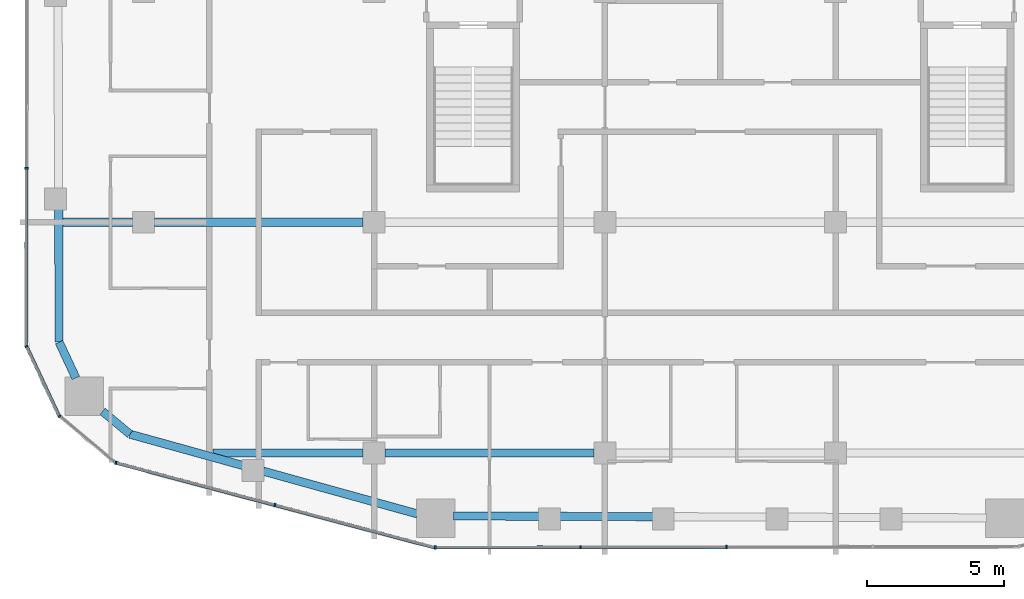
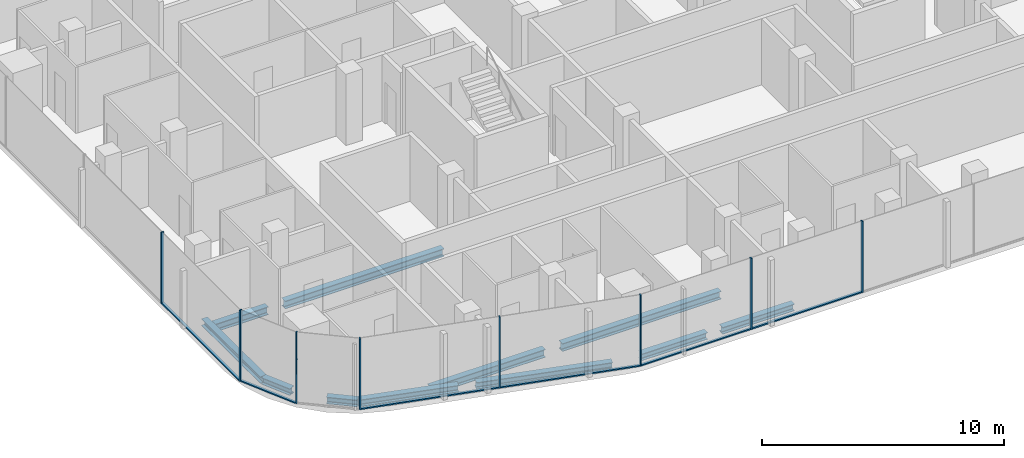
# One storey, part 2 of 21: 14 members, 11 beams, 5 elements without a shape of their own.
"""IFC4 building model written with IfcOpenShell, lengths in metres."""

from ifc_helpers import new_model, si_unit, direction, frame, origin, origin_2d, place, context, subcontext, project, spatial, rectangle, i_section, extrude, material, layer, layer_set, material_profile, profile_set, type_object, element, aggregate, save


model = new_model("IFC4")

# Units and contexts
model_context = context("Model", 3, precision=1e-05, world=origin(), true_north=direction((0.0, 1.0)))
body_context = subcontext(model_context, "Body", "Model", "MODEL_VIEW")
ifc_project = project(units=[si_unit("LENGTHUNIT", "METRE"), si_unit("AREAUNIT", "SQUARE_METRE"), si_unit("VOLUMEUNIT", "CUBIC_METRE"), si_unit("PLANEANGLEUNIT", "RADIAN"), si_unit("MASSUNIT", "GRAM", prefix="KILO")], contexts=[model_context])

# Site, building, storey
site_placement = place(None, origin())
site = spatial("IfcSite", under=ifc_project, at=site_placement, CompositionType="ELEMENT")
building_placement = place(site_placement, origin())
building = spatial("IfcBuilding", under=site, at=building_placement, Name="Marenta Gate Hotel Tower", CompositionType="ELEMENT")
storey_placement = place(building_placement, frame((0.0, 0.0, 245.300048828125)))
storey = spatial("IfcBuildingStorey", under=building, at=storey_placement, Name="L58", CompositionType="ELEMENT", Elevation=245.300048828125)

# Beams
ifc_material_1 = material(Name="Steel S355", Category="steel")
ifc_material_profile_1 = material_profile(ifc_material_1, i_section(OverallWidth=0.300048828125, OverallDepth=0.340087890625, WebThickness=0.011962890625, FlangeThickness=0.021484375, FilletRadius=0.027099609375, at=origin_2d()), Name="HEB 340")
ifc_profile_set_1 = profile_set([ifc_material_profile_1], Name="Steel S355")
beam_type_1 = type_object("IfcBeamType", Name="Edge beam HEB 340", PredefinedType="SPANDREL", material=ifc_profile_set_1)
beam_1_placement = place(storey_placement, frame((-11.02783203125, -27.42236328125, -0.429931640625), z_axis=(-0.963619240724, 0.267278803699, 0.0), x_axis=(-0.267278803699, -0.963619240724, 0.0)))
element("IfcBeam", 1, at=beam_1_placement, inside=storey, type_object=beam_type_1, Name="L58-EB-1", PredefinedType="SPANDREL", context=body_context, shape_type="SweptSolid", body=[
    extrude(i_section(OverallWidth=0.300048828125, OverallDepth=0.340087890625, WebThickness=0.011962890625, FlangeThickness=0.021484375, FilletRadius=0.027099609375, at=origin_2d()), origin(), (0.0, 0.0, 1.0), 5.82958984375),
])
beam_2_placement = place(storey_placement, frame((-17.3681640625, -25.663818359375, -0.429931640625), z_axis=(-0.963628037304, 0.267247087396, 0.0), x_axis=(-0.267247087396, -0.963628037304, 0.0)))
element("IfcBeam", 2, at=beam_2_placement, inside=storey, type_object=beam_type_1, Name="L58-EB-2", PredefinedType="SPANDREL", context=body_context, shape_type="SweptSolid", body=[
    extrude(i_section(OverallWidth=0.300048828125, OverallDepth=0.340087890625, WebThickness=0.011962890625, FlangeThickness=0.021484375, FilletRadius=0.027099609375, at=origin_2d()), origin(), (0.0, 0.0, 1.0), 4.284423828125),
])
beam_3_placement = place(storey_placement, frame((-21.496826171875, -24.518798828125, -0.429931640625), z_axis=(-0.767065103149, 0.641569269472, 0.0), x_axis=(-0.641569269472, -0.767065103149, 0.0)))
element("IfcBeam", 3, at=beam_3_placement, inside=storey, type_object=beam_type_1, Name="L58-EB-3", PredefinedType="SPANDREL", context=body_context, shape_type="SweptSolid", body=[
    extrude(i_section(OverallWidth=0.300048828125, OverallDepth=0.340087890625, WebThickness=0.011962890625, FlangeThickness=0.021484375, FilletRadius=0.027099609375, at=origin_2d()), origin(), (0.0, 0.0, 1.0), 1.299560546875),
])
beam_4_placement = place(storey_placement, frame((-23.466796875, -22.46923828125, -0.429931640625), z_axis=(-0.423341112024, 0.905970365338, 0.0), x_axis=(-0.905970365338, -0.423341112024, 0.0)))
element("IfcBeam", 4, at=beam_4_placement, inside=storey, type_object=beam_type_1, Name="L58-EB-4", PredefinedType="SPANDREL", context=body_context, shape_type="SweptSolid", body=[
    extrude(i_section(OverallWidth=0.300048828125, OverallDepth=0.340087890625, WebThickness=0.011962890625, FlangeThickness=0.021484375, FilletRadius=0.027099609375, at=origin_2d()), origin(), (0.0, 0.0, 1.0), 1.437255859375),
])
beam_5_placement = place(storey_placement, frame((-24.0751953125, -21.167236328125, -0.429931640625), z_axis=(-0.003318732666, 0.999994492992, 0.0), x_axis=(-0.999994492992, -0.003318732666, 0.0)))
element("IfcBeam", 5, at=beam_5_placement, inside=storey, type_object=beam_type_1, Name="L58-EB-5", PredefinedType="SPANDREL", context=body_context, shape_type="SweptSolid", body=[
    extrude(i_section(OverallWidth=0.300048828125, OverallDepth=0.340087890625, WebThickness=0.011962890625, FlangeThickness=0.021484375, FilletRadius=0.027099609375, at=origin_2d()), origin(), (0.0, 0.0, 1.0), 4.855224609375),
])
beam_6_placement = place(storey_placement, frame((-2.433349609375, -27.5234375, -0.429931640625), z_axis=(-0.999992599416, 0.003847221457, 0.0), x_axis=(-0.003847221457, -0.999992599416, 0.0)))
element("IfcBeam", 6, at=beam_6_placement, inside=storey, type_object=beam_type_1, Name="L58-EB-35", PredefinedType="SPANDREL", context=body_context, shape_type="SweptSolid", body=[
    extrude(i_section(OverallWidth=0.300048828125, OverallDepth=0.340087890625, WebThickness=0.011962890625, FlangeThickness=0.021484375, FilletRadius=0.027099609375, at=origin_2d()), origin(), (0.0, 0.0, 1.0), 3.4267578125),
])
beam_7_placement = place(storey_placement, frame((-6.580078125, -27.507568359375, -0.429931640625), z_axis=(-0.99999237665, 0.00390469495, 0.0), x_axis=(-0.00390469495, -0.99999237665, 0.0)))
element("IfcBeam", 7, at=beam_7_placement, inside=storey, type_object=beam_type_1, Name="L58-EB-36", PredefinedType="SPANDREL", context=body_context, shape_type="SweptSolid", body=[
    extrude(i_section(OverallWidth=0.300048828125, OverallDepth=0.340087890625, WebThickness=0.011962890625, FlangeThickness=0.021484375, FilletRadius=0.027099609375, at=origin_2d()), origin(), (0.0, 0.0, 1.0), 3.126220703125),
])
ifc_material_2 = material(Name="Steel S355", Category="steel")
ifc_material_profile_2 = material_profile(ifc_material_2, i_section(OverallWidth=0.300048828125, OverallDepth=0.39990234375, WebThickness=0.013427734375, FlangeThickness=0.02392578125, FilletRadius=0.027099609375, at=origin_2d()), Name="HEB 400")
ifc_profile_set_2 = profile_set([ifc_material_profile_2], Name="Steel S355")
beam_type_2 = type_object("IfcBeamType", Name="Girder HEB 400", PredefinedType="BEAM", material=ifc_profile_set_2)
beam_8_placement = place(storey_placement, frame((-18.479248046875, -25.199951171875, -0.4599609375), z_axis=(1.0, 0.0, 0.0), x_axis=(0.0, 1.0, 0.0)))
element("IfcBeam", 8, at=beam_8_placement, inside=storey, type_object=beam_type_2, Name="L58-GD-1", PredefinedType="BEAM", context=body_context, shape_type="SweptSolid", body=[
    extrude(i_section(OverallWidth=0.300048828125, OverallDepth=0.39990234375, WebThickness=0.013427734375, FlangeThickness=0.02392578125, FilletRadius=0.027099609375, at=origin_2d()), origin(), (0.0, 0.0, 1.0), 5.479248046875),
])
beam_9_placement = place(storey_placement, frame((-12.199951171875, -25.199951171875, -0.4599609375), z_axis=(1.0, 0.0, 0.0), x_axis=(0.0, 1.0, 0.0)))
element("IfcBeam", 9, at=beam_9_placement, inside=storey, type_object=beam_type_2, Name="L58-GD-2", PredefinedType="BEAM", context=body_context, shape_type="SweptSolid", body=[
    extrude(i_section(OverallWidth=0.300048828125, OverallDepth=0.39990234375, WebThickness=0.013427734375, FlangeThickness=0.02392578125, FilletRadius=0.027099609375, at=origin_2d()), origin(), (0.0, 0.0, 1.0), 7.599853515625),
])
beam_10_placement = place(storey_placement, frame((-23.939697265625, -16.800048828125, -0.4599609375), z_axis=(1.0, 0.0, 0.0), x_axis=(0.0, 1.0, 0.0)))
element("IfcBeam", 10, at=beam_10_placement, inside=storey, type_object=beam_type_2, Name="L58-GD-6", PredefinedType="BEAM", context=body_context, shape_type="SweptSolid", body=[
    extrude(i_section(OverallWidth=0.300048828125, OverallDepth=0.39990234375, WebThickness=0.013427734375, FlangeThickness=0.02392578125, FilletRadius=0.027099609375, at=origin_2d()), origin(), (0.0, 0.0, 1.0), 2.539794921875),
])
beam_11_placement = place(storey_placement, frame((-20.60009765625, -16.800048828125, -0.4599609375), z_axis=(1.0, 0.0, 0.0), x_axis=(0.0, 1.0, 0.0)))
element("IfcBeam", 11, at=beam_11_placement, inside=storey, type_object=beam_type_2, Name="L58-GD-7", PredefinedType="BEAM", context=body_context, shape_type="SweptSolid", body=[
    extrude(i_section(OverallWidth=0.300048828125, OverallDepth=0.39990234375, WebThickness=0.013427734375, FlangeThickness=0.02392578125, FilletRadius=0.027099609375, at=origin_2d()), origin(), (0.0, 0.0, 1.0), 7.60009765625),
])

# Curtain wall, member
ifc_material_3 = material(Name="Tinted insulated glass in bronze anodised frame", Category="glass")
ifc_layer = layer(ifc_material_3, 0.1201171875)
ifc_layer_set = layer_set([ifc_layer], Name="Tinted insulated glass in bronze anodised frame")
curtain_wall_type = type_object("IfcCurtainWallType", Name="Tower unitised curtain wall CW1", PredefinedType="NOTDEFINED", material=ifc_layer_set)
curtain_wall_1_placement = place(storey_placement, origin())
curtain_wall_1 = element("IfcCurtainWall", 12, at=curtain_wall_1_placement, inside=storey, type_object=curtain_wall_type, Name="CW1 run G03", PredefinedType="NOTDEFINED")
ifc_material_4 = material(Name="Bronze anodised aluminium", Category="aluminium")
ifc_material_profile_3 = material_profile(ifc_material_4, rectangle(XDim=0.1201171875, YDim=0.06005859375, at=origin_2d()), Name="Mullion CW1 60x120 bronze anodised aluminium")
ifc_profile_set_3 = profile_set([ifc_material_profile_3], Name="Bronze anodised aluminium")
member_type_1 = type_object("IfcMemberType", Name="Mullion CW1 60x120 bronze anodised aluminium", PredefinedType="MULLION", material=ifc_profile_set_3)
member_1_placement = place(storey_placement, frame((-25.262939453125, -14.833740234375, 0.0), z_axis=(0.0, 0.0, 1.0), x_axis=(0.99999877375, -0.001566045546, 0.0)))
member_1 = element("IfcMember", 13, at=member_1_placement, type_object=member_type_1, Name="CW1 mullion 6", PredefinedType="MULLION", context=body_context, shape_type="SweptSolid", body=[
    extrude(rectangle(XDim=0.1201171875, YDim=0.06005859375, at=origin_2d()), origin(), (0.0, 0.0, 1.0), 3.599853515625),
])

curtain_wall_2_placement = place(storey_placement, origin())
curtain_wall_2 = element("IfcCurtainWall", 14, at=curtain_wall_2_placement, inside=storey, type_object=curtain_wall_type, Name="CW1 run G04", PredefinedType="NOTDEFINED")
member_2_placement = place(storey_placement, frame((-25.26025390625, -21.321044921875, 0.0), z_axis=(0.0, 0.0, 1.0), x_axis=(0.905972194447, 0.42333719762, 0.0)))
member_2 = element("IfcMember", 15, at=member_2_placement, type_object=member_type_1, Name="CW1 mullion 1", PredefinedType="MULLION", context=body_context, shape_type="SweptSolid", body=[
    extrude(rectangle(XDim=0.1201171875, YDim=0.06005859375, at=origin_2d()), origin(), (0.0, 0.0, 1.0), 3.599853515625),
])

curtain_wall_3_placement = place(storey_placement, origin())
curtain_wall_3 = element("IfcCurtainWall", 16, at=curtain_wall_3_placement, inside=storey, type_object=curtain_wall_type, Name="CW1 run G05", PredefinedType="NOTDEFINED")
member_3_placement = place(storey_placement, frame((-24.059814453125, -23.85986328125, 0.0), z_axis=(0.0, 0.0, 1.0), x_axis=(0.641524739495, 0.767102345594, 0.0)))
member_3 = element("IfcMember", 17, at=member_3_placement, type_object=member_type_1, Name="CW1 mullion 1", PredefinedType="MULLION", context=body_context, shape_type="SweptSolid", body=[
    extrude(rectangle(XDim=0.1201171875, YDim=0.06005859375, at=origin_2d()), origin(), (0.0, 0.0, 1.0), 3.599853515625),
])
aggregate(curtain_wall_3, [member_3])

# Curtain wall, members
curtain_wall_4_placement = place(storey_placement, origin())
curtain_wall_4 = element("IfcCurtainWall", 18, at=curtain_wall_4_placement, inside=storey, type_object=curtain_wall_type, Name="CW1 run G06", PredefinedType="NOTDEFINED")
member_4_placement = place(storey_placement, frame((-22.00634765625, -25.560791015625, 0.0), z_axis=(0.0, 0.0, 1.0), x_axis=(0.257139197271, 0.966374375295, 0.0)))
member_4 = element("IfcMember", 19, at=member_4_placement, type_object=member_type_1, Name="CW1 mullion 1", PredefinedType="MULLION", context=body_context, shape_type="SweptSolid", body=[
    extrude(rectangle(XDim=0.1201171875, YDim=0.06005859375, at=origin_2d()), origin(), (0.0, 0.0, 1.0), 3.599853515625),
])
member_5_placement = place(storey_placement, frame((-16.220703125, -27.100341796875, 0.0), z_axis=(0.0, 0.0, 1.0), x_axis=(0.257139197271, 0.966374375295, 0.0)))
member_5 = element("IfcMember", 20, at=member_5_placement, type_object=member_type_1, Name="CW1 mullion 2", PredefinedType="MULLION", context=body_context, shape_type="SweptSolid", body=[
    extrude(rectangle(XDim=0.1201171875, YDim=0.06005859375, at=origin_2d()), origin(), (0.0, 0.0, 1.0), 3.599853515625),
])

curtain_wall_5_placement = place(storey_placement, origin())
curtain_wall_5 = element("IfcCurtainWall", 21, at=curtain_wall_5_placement, inside=storey, type_object=curtain_wall_type, Name="CW1 run G07", PredefinedType="NOTDEFINED")
member_6_placement = place(storey_placement, frame((-10.3759765625, -28.6474609375, 0.0), z_axis=(0.0, 0.0, 1.0), x_axis=(-0.001644757804, 0.999998647385, 0.0)))
member_6 = element("IfcMember", 22, at=member_6_placement, type_object=member_type_1, Name="CW1 mullion 1", PredefinedType="MULLION", context=body_context, shape_type="SweptSolid", body=[
    extrude(rectangle(XDim=0.1201171875, YDim=0.06005859375, at=origin_2d()), origin(), (0.0, 0.0, 1.0), 3.599853515625),
])
member_7_placement = place(storey_placement, frame((-5.086181640625, -28.638671875, 0.0), z_axis=(0.0, 0.0, 1.0), x_axis=(-0.001644757804, 0.999998647385, 0.0)))
member_7 = element("IfcMember", 23, at=member_7_placement, type_object=member_type_1, Name="CW1 mullion 2", PredefinedType="MULLION", context=body_context, shape_type="SweptSolid", body=[
    extrude(rectangle(XDim=0.1201171875, YDim=0.06005859375, at=origin_2d()), origin(), (0.0, 0.0, 1.0), 3.599853515625),
])
member_8_placement = place(storey_placement, frame((0.23388671875, -28.6298828125, 0.0), z_axis=(0.0, 0.0, 1.0), x_axis=(-0.001644757804, 0.999998647385, 0.0)))
member_8 = element("IfcMember", 24, at=member_8_placement, type_object=member_type_1, Name="CW1 mullion 3", PredefinedType="MULLION", context=body_context, shape_type="SweptSolid", body=[
    extrude(rectangle(XDim=0.1201171875, YDim=0.06005859375, at=origin_2d()), origin(), (0.0, 0.0, 1.0), 3.599853515625),
])

# Member
ifc_material_5 = material(Name="Bronze anodised aluminium", Category="aluminium")
ifc_material_profile_4 = material_profile(ifc_material_5, rectangle(XDim=0.1201171875, YDim=0.06005859375, at=origin_2d()), Name="Transom CW1 60x120 bronze anodised aluminium")
ifc_profile_set_4 = profile_set([ifc_material_profile_4], Name="Bronze anodised aluminium")
member_type_2 = type_object("IfcMemberType", Name="Transom CW1 60x120 bronze anodised aluminium", PredefinedType="USERDEFINED", material=ifc_profile_set_4)
member_9_placement = place(storey_placement, frame((-25.262939453125, -14.86376953125, 0.030029296875), z_axis=(-0.001556743377, -0.999998788274, 0.0), x_axis=(0.999998788274, -0.001556743377, 0.0)))
member_9 = element("IfcMember", 25, at=member_9_placement, type_object=member_type_2, Name="CW1 transom 6.1", ObjectType="TRANSOM", PredefinedType="USERDEFINED", context=body_context, shape_type="SweptSolid", body=[
    extrude(rectangle(XDim=0.1201171875, YDim=0.06005859375, at=origin_2d()), origin(), (0.0, 0.0, 1.0), 6.429931640625),
])

aggregate(curtain_wall_1, [member_1, member_9])

member_10_placement = place(storey_placement, frame((-25.24755859375, -21.34814453125, 0.030029296875), z_axis=(0.423274054321, -0.906001696984, 0.0), x_axis=(0.906001696984, 0.423274054321, 0.0)))
member_10 = element("IfcMember", 26, at=member_10_placement, type_object=member_type_2, Name="CW1 transom 1.1", ObjectType="TRANSOM", PredefinedType="USERDEFINED", context=body_context, shape_type="SweptSolid", body=[
    extrude(rectangle(XDim=0.1201171875, YDim=0.06005859375, at=origin_2d()), origin(), (0.0, 0.0, 1.0), 2.751220703125),
])

aggregate(curtain_wall_2, [member_2, member_10])

member_11_placement = place(storey_placement, frame((-21.977294921875, -25.568603515625, 0.030029296875), z_axis=(0.966378365457, -0.257124201073, 0.0), x_axis=(0.257124201073, 0.966378365457, 0.0)))
member_11 = element("IfcMember", 27, at=member_11_placement, type_object=member_type_2, Name="CW1 transom 1.1", ObjectType="TRANSOM", PredefinedType="USERDEFINED", context=body_context, shape_type="SweptSolid", body=[
    extrude(rectangle(XDim=0.1201171875, YDim=0.06005859375, at=origin_2d()), origin(), (0.0, 0.0, 1.0), 5.9267578125),
])

member_12_placement = place(storey_placement, frame((-16.191650390625, -27.10791015625, 0.030029296875), z_axis=(0.966371521912, -0.257149920549, 0.0), x_axis=(0.257149920549, 0.966371521912, 0.0)))
member_12 = element("IfcMember", 28, at=member_12_placement, type_object=member_type_2, Name="CW1 transom 2.1", ObjectType="TRANSOM", PredefinedType="USERDEFINED", context=body_context, shape_type="SweptSolid", body=[
    extrude(rectangle(XDim=0.1201171875, YDim=0.06005859375, at=origin_2d()), origin(), (0.0, 0.0, 1.0), 5.987060546875),
])

aggregate(curtain_wall_4, [member_4, member_5, member_11, member_12])

member_13_placement = place(storey_placement, frame((-10.345947265625, -28.6474609375, 0.030029296875), z_axis=(0.999998665295, 0.001633832195, 0.0), x_axis=(-0.001633832195, 0.999998665295, 0.0)))
member_13 = element("IfcMember", 29, at=member_13_placement, type_object=member_type_2, Name="CW1 transom 1.1", ObjectType="TRANSOM", PredefinedType="USERDEFINED", context=body_context, shape_type="SweptSolid", body=[
    extrude(rectangle(XDim=0.1201171875, YDim=0.06005859375, at=origin_2d()), origin(), (0.0, 0.0, 1.0), 5.22998046875),
])

member_14_placement = place(storey_placement, frame((-5.05615234375, -28.638671875, 0.030029296875), z_axis=(0.999998680491, 0.001624504703, 0.0), x_axis=(-0.001624504703, 0.999998680491, 0.0)))
member_14 = element("IfcMember", 30, at=member_14_placement, type_object=member_type_2, Name="CW1 transom 2.1", ObjectType="TRANSOM", PredefinedType="USERDEFINED", context=body_context, shape_type="SweptSolid", body=[
    extrude(rectangle(XDim=0.1201171875, YDim=0.06005859375, at=origin_2d()), origin(), (0.0, 0.0, 1.0), 5.260009765625),
])

aggregate(curtain_wall_5, [member_6, member_7, member_8, member_13, member_14])

save(model, "model.ifc")
